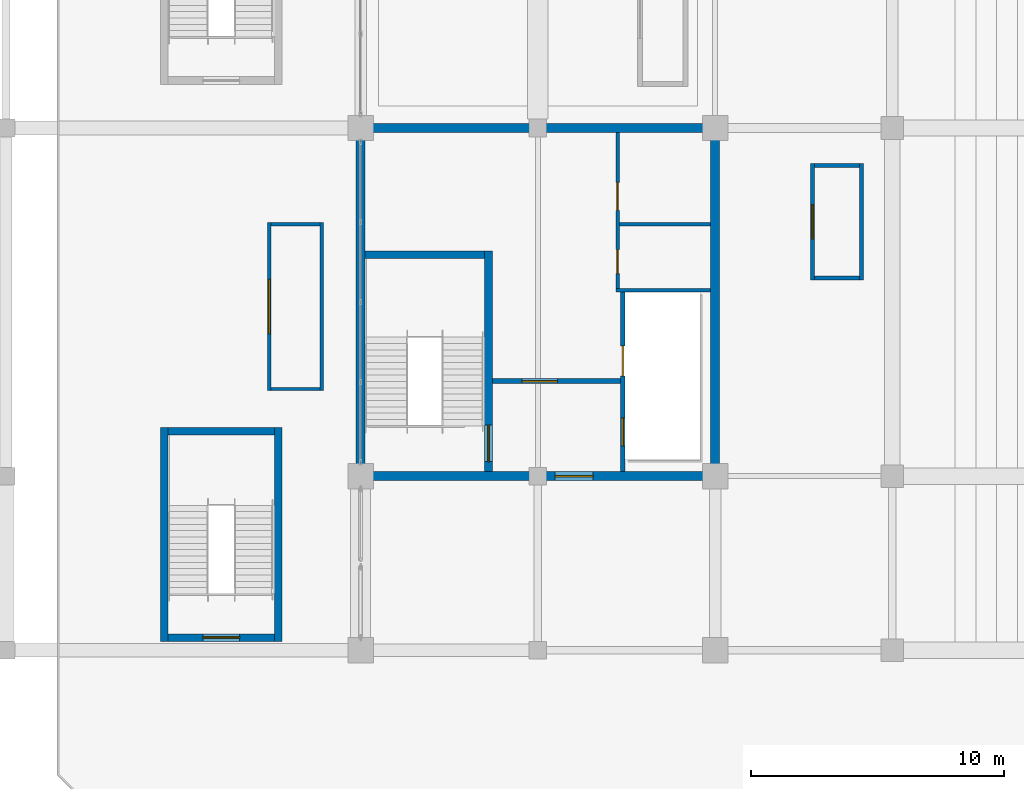
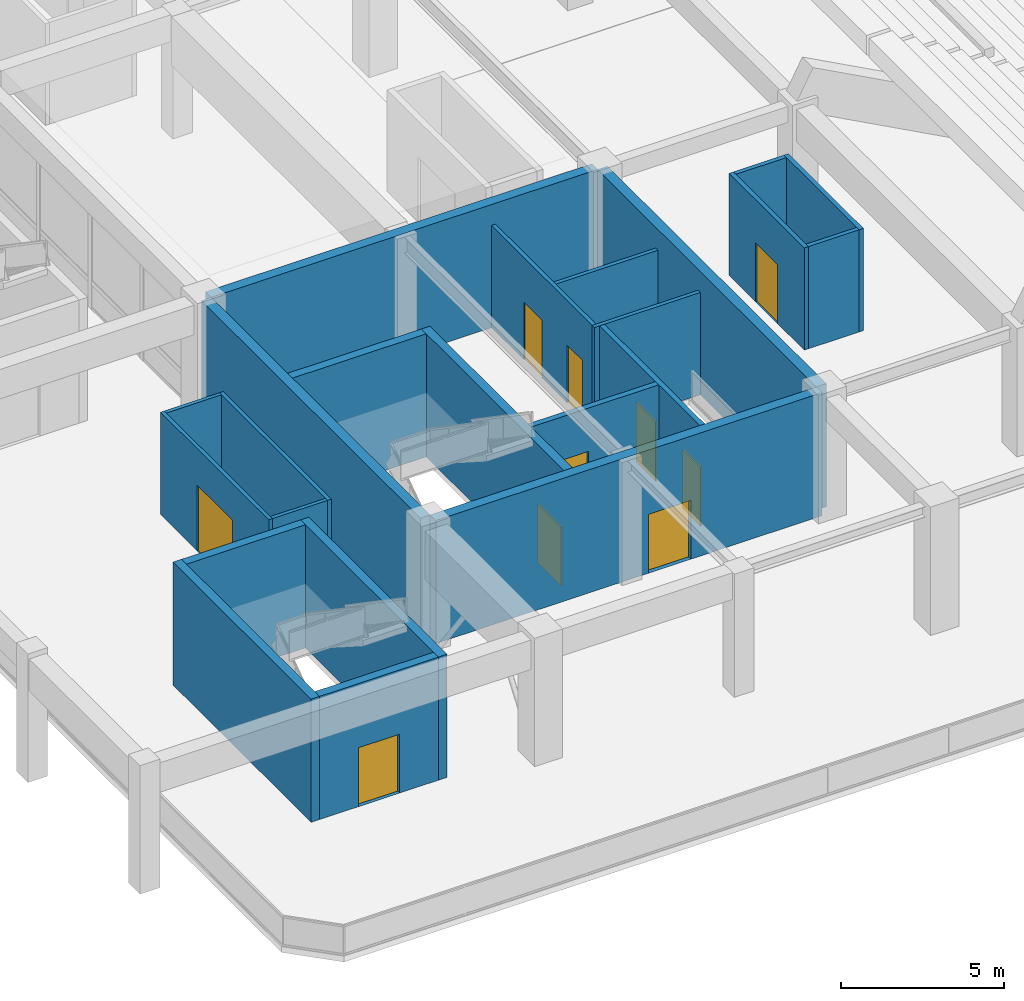
# One storey, part 68 of 94: 23 walls, 10 doors, 10 openings.
"""IFC4 building model written with IfcOpenShell, lengths in metres."""

from ifc_helpers import new_model, si_unit, direction, frame, frame_2d, origin, place, context, subcontext, project, spatial, rectangle, extrude, material, layer, layer_set, type_object, element, fill, save


model = new_model("IFC4")

# Units and contexts
model_context = context("Model", 3, precision=1e-05, world=origin(), true_north=direction((0.0, 1.0)))
body_context = subcontext(model_context, "Body", "Model", "MODEL_VIEW")
ifc_project = project(units=[si_unit("LENGTHUNIT", "METRE"), si_unit("AREAUNIT", "SQUARE_METRE"), si_unit("VOLUMEUNIT", "CUBIC_METRE"), si_unit("PLANEANGLEUNIT", "RADIAN"), si_unit("MASSUNIT", "GRAM", prefix="KILO")], contexts=[model_context])

# Site, building, storey
site_placement = place(None, origin())
site = spatial("IfcSite", under=ifc_project, at=site_placement, CompositionType="ELEMENT")
building_placement = place(site_placement, origin())
building = spatial("IfcBuilding", under=site, at=building_placement, Name="Linyun Crest Stadium", CompositionType="ELEMENT")
storey_placement = place(building_placement, frame((0.0, 0.0, 16.199951171875)))
storey = spatial("IfcBuildingStorey", under=building, at=storey_placement, Name="L04", CompositionType="ELEMENT", Elevation=16.199951171875)

# Walls
ifc_material_1 = material(Name="Concrete C50", Category="concrete")
ifc_layer_1 = layer(ifc_material_1, 0.35009765625)
ifc_layer_set_1 = layer_set([ifc_layer_1], Name="Concrete C50")
wall_type_1 = type_object("IfcWallType", Name="CW01", PredefinedType="SHEAR", material=ifc_layer_set_1)
for number, where, z_axis, x_axis, name in (
    (1, (-84.0, -38.949951171875, 0.0), (0.0, 0.0, 1.0), (0.0, 1.0, 0.0), "Core shear wall CW01 CORE-W1 L04.1"),
    (2, (-70.0, -38.949951171875, 0.0), (0.0, 0.0, 1.0), (0.0, 1.0, 0.0), "Core shear wall CW01 CORE-W1 L04.2"),
):
    element("IfcWall", number, at=place(storey_placement, frame(where, z_axis=z_axis, x_axis=x_axis)), inside=storey, type_object=wall_type_1, Name=name, PredefinedType="SHEAR", context=body_context, shape_type="SweptSolid", body=[
        extrude(rectangle(XDim=13.39990234375, YDim=0.35009765625, at=frame_2d((6.699951171875, 0.0))), origin(), (0.0, 0.0, 1.0), 4.60009765625),
    ])

# Wall, opening, door
wall_1_placement = place(storey_placement, frame((-83.824951171875, -39.125, 0.0), z_axis=(0.0, 0.0, 1.0), x_axis=(1.0, 0.0, 0.0)))
wall_1 = element("IfcWall", 3, at=wall_1_placement, inside=storey, type_object=wall_type_1, Name="Core shear wall CW01 CORE-W1 L04.3", PredefinedType="SHEAR", context=body_context, shape_type="SweptSolid", body=[
    extrude(rectangle(XDim=13.64990234375, YDim=0.35009765625, at=frame_2d((6.824951171875, 0.0))), origin(), (0.0, 0.0, 1.0), 4.60009765625),
])
opening_1_placement = place(wall_1_placement, frame((7.508056640625, 0.0, 0.0)))
opening_1 = element("IfcOpeningElement", 4, at=opening_1_placement, cuts=wall_1, Name="Opening D-L04-029", PredefinedType="OPENING", context=body_context, shape_type="SweptSolid", body=[
    extrude(rectangle(XDim=1.5, YDim=2.199951171875, at=frame_2d((0.75, 1.10009765625))), frame((0.0, 0.18505859375, 0.0), z_axis=(0.0, -1.0, 0.0), x_axis=(1.0, 0.0, 0.0)), (0.0, 0.0, 1.0), 0.3701171875),
])
ifc_material_2 = material(Name="Galvanized steel Class A fire door", Category="steel")
ifc_layer_2 = layer(ifc_material_2, 0.054931640625)
ifc_layer_set_2 = layer_set([ifc_layer_2], Name="Galvanized steel Class A fire door")
door_type_1 = type_object("IfcDoorType", Name="FD01", OperationType="NOTDEFINED", PredefinedType="DOOR", material=ifc_layer_set_2)
door_1_placement = place(opening_1_placement, origin())
door_1 = element("IfcDoor", 5, at=door_1_placement, inside=storey, type_object=door_type_1, Name="Door D-L04-029", OperationType="SINGLE_SWING_LEFT", OverallHeight=2.199951171875, OverallWidth=1.5, PredefinedType="DOOR", context=body_context, shape_type="SweptSolid", body=[
    extrude(rectangle(XDim=1.5, YDim=2.199951171875, at=frame_2d((0.75, 1.10009765625))), frame((0.0, 0.02490234375, 0.0), z_axis=(0.0, -1.0, 0.0), x_axis=(1.0, 0.0, 0.0)), (0.0, 0.0, 1.0), 0.050048828125),
])
fill(opening_1, door_1)

# Wall
wall_2_placement = place(storey_placement, frame((-83.824951171875, -25.375, 0.0), z_axis=(0.0, 0.0, 1.0), x_axis=(1.0, 0.0, 0.0)))
element("IfcWall", 6, at=wall_2_placement, inside=storey, type_object=wall_type_1, Name="Core shear wall CW01 CORE-W1 L04.4", PredefinedType="SHEAR", context=body_context, shape_type="SweptSolid", body=[
    extrude(rectangle(XDim=13.64990234375, YDim=0.35009765625, at=frame_2d((6.824951171875, 0.0))), origin(), (0.0, 0.0, 1.0), 4.60009765625),
])

# Wall, opening, door
ifc_material_3 = material(Name="Autoclaved aerated concrete block with fireboard", Category="concrete")
ifc_layer_3 = layer(ifc_material_3, 0.199951171875)
ifc_layer_set_3 = layer_set([ifc_layer_3], Name="Autoclaved aerated concrete block with fireboard")
wall_type_2 = type_object("IfcWallType", Name="PW11", PredefinedType="PARTITIONING", material=ifc_layer_set_3)
wall_3_placement = place(storey_placement, frame((-78.800048828125, -35.375, 0.0), z_axis=(0.0, 0.0, 1.0), x_axis=(1.0, 0.0, 0.0)))
wall_3 = element("IfcWall", 7, at=wall_3_placement, inside=storey, type_object=wall_type_2, Name="Partition PW11 L04 13", PredefinedType="PARTITIONING", context=body_context, shape_type="SweptSolid", body=[
    extrude(rectangle(XDim=5.06005859375, YDim=0.199951171875, at=frame_2d((2.530029296875, 0.0))), origin(), (0.0, 0.0, 1.0), 3.820068359375),
])
opening_2_placement = place(wall_3_placement, frame((1.169921875, 0.0, 0.0)))
opening_2 = element("IfcOpeningElement", 8, at=opening_2_placement, cuts=wall_3, Name="Opening D-L04-031", PredefinedType="OPENING", context=body_context, shape_type="SweptSolid", body=[
    extrude(rectangle(XDim=1.39990234375, YDim=2.199951171875, at=frame_2d((0.699951171875, 1.10009765625))), frame((0.0, 0.10986328125, 0.0), z_axis=(0.0, -1.0, 0.0), x_axis=(1.0, 0.0, 0.0)), (0.0, 0.0, 1.0), 0.219970703125),
])
ifc_material_4 = material(Name="Galvanized steel Class B fire door", Category="steel")
ifc_layer_4 = layer(ifc_material_4, 0.054931640625)
ifc_layer_set_4 = layer_set([ifc_layer_4], Name="Galvanized steel Class B fire door")
door_type_2 = type_object("IfcDoorType", Name="FD03", OperationType="NOTDEFINED", PredefinedType="DOOR", material=ifc_layer_set_4)
door_2_placement = place(opening_2_placement, origin())
door_2 = element("IfcDoor", 9, at=door_2_placement, inside=storey, type_object=door_type_2, Name="Door D-L04-031", OperationType="SINGLE_SWING_LEFT", OverallHeight=2.199951171875, OverallWidth=1.39990234375, PredefinedType="DOOR", context=body_context, shape_type="SweptSolid", body=[
    extrude(rectangle(XDim=1.39990234375, YDim=2.199951171875, at=frame_2d((0.699951171875, 1.10009765625))), frame((0.0, 0.02490234375, 0.0), z_axis=(0.0, -1.0, 0.0), x_axis=(1.0, 0.0, 0.0)), (0.0, 0.0, 1.0), 0.050048828125),
])
fill(opening_2, door_2)

# Wall, openings, doors
ifc_material_5 = material(Name="Autoclaved aerated concrete block fire partition", Category="concrete")
ifc_layer_5 = layer(ifc_material_5, 0.179931640625)
ifc_layer_set_5 = layer_set([ifc_layer_5], Name="Autoclaved aerated concrete block fire partition")
wall_type_3 = type_object("IfcWallType", Name="PW12", PredefinedType="PARTITIONING", material=ifc_layer_set_5)
wall_4_placement = place(storey_placement, frame((-73.64990234375, -38.949951171875, 0.0), z_axis=(0.0, 0.0, 1.0), x_axis=(0.0, 1.0, 0.0)))
wall_4 = element("IfcWall", 10, at=wall_4_placement, inside=storey, type_object=wall_type_3, Name="Partition PW12 L04 14", PredefinedType="PARTITIONING", context=body_context, shape_type="SweptSolid", body=[
    extrude(rectangle(XDim=7.10498046875, YDim=0.179931640625, at=frame_2d((3.552490234375, 0.0))), origin(), (0.0, 0.0, 1.0), 3.820068359375),
])
opening_3_placement = place(wall_4_placement, frame((1.02490234375, 0.0, 0.0)))
opening_3 = element("IfcOpeningElement", 11, at=opening_3_placement, cuts=wall_4, Name="Opening LD009", PredefinedType="OPENING", context=body_context, shape_type="SweptSolid", body=[
    extrude(rectangle(XDim=1.10009765625, YDim=2.199951171875, at=frame_2d((0.550048828125, 1.10009765625))), frame((0.0, 0.099853515625, 0.0), z_axis=(0.0, -1.0, 0.0), x_axis=(1.0, 0.0, 0.0)), (0.0, 0.0, 1.0), 0.199951171875),
])
opening_4_placement = place(wall_4_placement, frame((3.77490234375, 0.0, 0.0)))
opening_4 = element("IfcOpeningElement", 12, at=opening_4_placement, cuts=wall_4, Name="Opening LD010", PredefinedType="OPENING", context=body_context, shape_type="SweptSolid", body=[
    extrude(rectangle(XDim=1.199951171875, YDim=2.25, at=frame_2d((0.60009765625, 1.125))), frame((0.0, 0.099853515625, 0.0), z_axis=(0.0, -1.0, 0.0), x_axis=(1.0, 0.0, 0.0)), (0.0, 0.0, 1.0), 0.199951171875),
])
ifc_material_6 = material(Name="Brushed stainless sliding lift door")
ifc_layer_6 = layer(ifc_material_6, 0.050048828125)
ifc_layer_set_6 = layer_set([ifc_layer_6], Name="Brushed stainless sliding lift door")
door_type_3 = type_object("IfcDoorType", Name="LD01", OperationType="NOTDEFINED", PredefinedType="DOOR", material=ifc_layer_set_6)
door_3_placement = place(opening_3_placement, origin())
door_3 = element("IfcDoor", 13, at=door_3_placement, inside=storey, type_object=door_type_3, Name="Lift landing door LD009", OperationType="DOUBLE_DOOR_SLIDING", OverallHeight=2.199951171875, OverallWidth=1.10009765625, PredefinedType="DOOR", context=body_context, shape_type="SweptSolid", body=[
    extrude(rectangle(XDim=1.10009765625, YDim=2.199951171875, at=frame_2d((0.550048828125, 1.10009765625))), frame((0.0, 0.02490234375, 0.0), z_axis=(0.0, -1.0, 0.0), x_axis=(1.0, 0.0, 0.0)), (0.0, 0.0, 1.0), 0.050048828125),
])
fill(opening_3, door_3)
ifc_material_7 = material(Name="Brushed stainless sliding lift door")
ifc_layer_7 = layer(ifc_material_7, 0.050048828125)
ifc_layer_set_7 = layer_set([ifc_layer_7], Name="Brushed stainless sliding lift door")
door_type_4 = type_object("IfcDoorType", Name="LD02", OperationType="NOTDEFINED", PredefinedType="DOOR", material=ifc_layer_set_7)
door_4_placement = place(opening_4_placement, origin())
door_4 = element("IfcDoor", 14, at=door_4_placement, inside=storey, type_object=door_type_4, Name="Lift landing door LD010", OperationType="DOUBLE_DOOR_SLIDING", OverallHeight=2.25, OverallWidth=1.199951171875, PredefinedType="DOOR", context=body_context, shape_type="SweptSolid", body=[
    extrude(rectangle(XDim=1.199951171875, YDim=2.25, at=frame_2d((0.60009765625, 1.125))), frame((0.0, 0.02490234375, 0.0), z_axis=(0.0, -1.0, 0.0), x_axis=(1.0, 0.0, 0.0)), (0.0, 0.0, 1.0), 0.050048828125),
])
fill(opening_4, door_4)

# Wall, opening, door
ifc_material_8 = material(Name="Steel-stud gypsum corridor fire partition", Category="steel")
ifc_layer_8 = layer(ifc_material_8, 0.14990234375)
ifc_layer_set_8 = layer_set([ifc_layer_8], Name="Steel-stud gypsum corridor fire partition")
wall_type_4 = type_object("IfcWallType", Name="PW14", PredefinedType="PARTITIONING", material=ifc_layer_set_8)
wall_5_placement = place(storey_placement, frame((-66.156982421875, -31.376953125, 0.0), z_axis=(0.0, 0.0, 1.0), x_axis=(0.0, 1.0, 0.0)))
wall_5 = element("IfcWall", 15, at=wall_5_placement, inside=storey, type_object=wall_type_4, Name="Partition PW14 L04 217", PredefinedType="PARTITIONING", context=body_context, shape_type="SweptSolid", body=[
    extrude(rectangle(XDim=4.599853515625, YDim=0.14990234375, at=frame_2d((2.2998046875, 0.0))), origin(), (0.0, 0.0, 1.0), 3.820068359375),
])
opening_5_placement = place(wall_5_placement, frame((1.625, 0.0, 0.0)))
opening_5 = element("IfcOpeningElement", 16, at=opening_5_placement, cuts=wall_5, Name="Opening D-L04-480", PredefinedType="OPENING", context=body_context, shape_type="SweptSolid", body=[
    extrude(rectangle(XDim=1.35009765625, YDim=2.199951171875, at=frame_2d((0.675048828125, 1.10009765625))), frame((0.0, 0.0849609375, 0.0), z_axis=(0.0, -1.0, 0.0), x_axis=(1.0, 0.0, 0.0)), (0.0, 0.0, 1.0), 0.169921875),
])
ifc_material_9 = material(Name="Wide hospital-grade hygienic door")
ifc_layer_9 = layer(ifc_material_9, 0.050048828125)
ifc_layer_set_9 = layer_set([ifc_layer_9], Name="Wide hospital-grade hygienic door")
door_type_5 = type_object("IfcDoorType", Name="ID12", OperationType="NOTDEFINED", PredefinedType="DOOR", material=ifc_layer_set_9)
door_5_placement = place(opening_5_placement, origin())
door_5 = element("IfcDoor", 17, at=door_5_placement, inside=storey, type_object=door_type_5, Name="Door D-L04-480", OperationType="SINGLE_SWING_RIGHT", OverallHeight=2.199951171875, OverallWidth=1.35009765625, PredefinedType="DOOR", context=body_context, shape_type="SweptSolid", body=[
    extrude(rectangle(XDim=1.35009765625, YDim=2.199951171875, at=frame_2d((0.675048828125, 1.10009765625))), frame((0.0, 0.02490234375, 0.0), z_axis=(0.0, -1.0, 0.0), x_axis=(1.0, 0.0, 0.0)), (0.0, 0.0, 1.0), 0.050048828125),
])
fill(opening_5, door_5)

# Walls
wall_6_placement = place(storey_placement, frame((-64.217041015625, -31.376953125, 0.0), z_axis=(0.0, 0.0, 1.0), x_axis=(0.0, 1.0, 0.0)))
element("IfcWall", 18, at=wall_6_placement, inside=storey, type_object=wall_type_4, Name="Enclosure partition PW14 L04 367", PredefinedType="PARTITIONING", context=body_context, shape_type="SweptSolid", body=[
    extrude(rectangle(XDim=4.599853515625, YDim=0.14990234375, at=frame_2d((2.2998046875, 0.0))), origin(), (0.0, 0.0, 1.0), 3.820068359375),
])
for number, where, z_axis, x_axis, name in (
    (19, (-66.08203125, -31.302001953125, 0.0), (0.0, 0.0, 1.0), (1.0, 0.0, 0.0), "Enclosure partition PW14 L04 368"),
    (20, (-66.08203125, -26.85205078125, 0.0), (0.0, 0.0, 1.0), (1.0, 0.0, 0.0), "Enclosure partition PW14 L04 369"),
):
    element("IfcWall", number, at=place(storey_placement, frame(where, z_axis=z_axis, x_axis=x_axis)), inside=storey, type_object=wall_type_4, Name=name, PredefinedType="PARTITIONING", context=body_context, shape_type="SweptSolid", body=[
        extrude(rectangle(XDim=1.7900390625, YDim=0.14990234375, at=frame_2d((0.89501953125, 0.0))), origin(), (0.0, 0.0, 1.0), 3.820068359375),
    ])

# Wall, openings, doors
ifc_material_10 = material(Name="Moisture-resistant ceramic-tiled wet-room wall")
ifc_layer_10 = layer(ifc_material_10, 0.139892578125)
ifc_layer_set_10 = layer_set([ifc_layer_10], Name="Moisture-resistant ceramic-tiled wet-room wall")
wall_type_5 = type_object("IfcWallType", Name="PW15", PredefinedType="PARTITIONING", material=ifc_layer_set_10)
wall_7_placement = place(storey_placement, frame((-73.85009765625, -31.705078125, 0.0), z_axis=(0.0, 0.0, 1.0), x_axis=(0.0, 1.0, 0.0)))
wall_7 = element("IfcWall", 21, at=wall_7_placement, inside=storey, type_object=wall_type_5, Name="Partition PW15 L04 15", PredefinedType="PARTITIONING", context=body_context, shape_type="SweptSolid", body=[
    extrude(rectangle(XDim=6.155029296875, YDim=0.139892578125, at=frame_2d((3.07763671875, 0.0))), origin(), (0.0, 0.0, 1.0), 3.820068359375),
])
opening_6_placement = place(wall_7_placement, frame((0.580078125, 0.0, 0.0)))
opening_6 = element("IfcOpeningElement", 22, at=opening_6_placement, cuts=wall_7, Name="Opening D-L04-034", PredefinedType="OPENING", context=body_context, shape_type="SweptSolid", body=[
    extrude(rectangle(XDim=0.949951171875, YDim=2.14990234375, at=frame_2d((0.47509765625, 1.074951171875))), frame((0.0, 0.079833984375, 0.0), z_axis=(0.0, -1.0, 0.0), x_axis=(1.0, 0.0, 0.0)), (0.0, 0.0, 1.0), 0.159912109375),
])
opening_7_placement = place(wall_7_placement, frame((3.080078125, 0.0, 0.0)))
opening_7 = element("IfcOpeningElement", 23, at=opening_7_placement, cuts=wall_7, Name="Opening D-L04-035", PredefinedType="OPENING", context=body_context, shape_type="SweptSolid", body=[
    extrude(rectangle(XDim=1.10009765625, YDim=2.14990234375, at=frame_2d((0.550048828125, 1.074951171875))), frame((0.0, 0.079833984375, 0.0), z_axis=(0.0, -1.0, 0.0), x_axis=(1.0, 0.0, 0.0)), (0.0, 0.0, 1.0), 0.159912109375),
])
ifc_material_11 = material(Name="Moisture-resistant laminate leaf")
ifc_layer_11 = layer(ifc_material_11, 0.044921875)
ifc_layer_set_11 = layer_set([ifc_layer_11], Name="Moisture-resistant laminate leaf")
door_type_6 = type_object("IfcDoorType", Name="ID02", OperationType="NOTDEFINED", PredefinedType="DOOR", material=ifc_layer_set_11)
door_6_placement = place(opening_6_placement, origin())
door_6 = element("IfcDoor", 24, at=door_6_placement, inside=storey, type_object=door_type_6, Name="Door D-L04-034", OperationType="SINGLE_SWING_RIGHT", OverallHeight=2.14990234375, OverallWidth=0.949951171875, PredefinedType="DOOR", context=body_context, shape_type="SweptSolid", body=[
    extrude(rectangle(XDim=0.949951171875, YDim=2.14990234375, at=frame_2d((0.47509765625, 1.074951171875))), frame((0.0, 0.02490234375, 0.0), z_axis=(0.0, -1.0, 0.0), x_axis=(1.0, 0.0, 0.0)), (0.0, 0.0, 1.0), 0.050048828125),
])
fill(opening_6, door_6)
ifc_material_12 = material(Name="Moisture-resistant laminate leaf")
ifc_layer_12 = layer(ifc_material_12, 0.044921875)
ifc_layer_set_12 = layer_set([ifc_layer_12], Name="Moisture-resistant laminate leaf")
door_type_7 = type_object("IfcDoorType", Name="ID03", OperationType="NOTDEFINED", PredefinedType="DOOR", material=ifc_layer_set_12)
door_7_placement = place(opening_7_placement, origin())
door_7 = element("IfcDoor", 25, at=door_7_placement, inside=storey, type_object=door_type_7, Name="Door D-L04-035", OperationType="SINGLE_SWING_LEFT", OverallHeight=2.14990234375, OverallWidth=1.10009765625, PredefinedType="DOOR", context=body_context, shape_type="SweptSolid", body=[
    extrude(rectangle(XDim=1.10009765625, YDim=2.14990234375, at=frame_2d((0.550048828125, 1.074951171875))), frame((0.0, 0.02490234375, 0.0), z_axis=(0.0, -1.0, 0.0), x_axis=(1.0, 0.0, 0.0)), (0.0, 0.0, 1.0), 0.050048828125),
])
fill(opening_7, door_7)

# Walls
wall_8_placement = place(storey_placement, frame((-73.919921875, -31.77490234375, 0.0), z_axis=(0.0, 0.0, 1.0), x_axis=(1.0, 0.0, 0.0)))
element("IfcWall", 26, at=wall_8_placement, inside=storey, type_object=wall_type_5, Name="Enclosure partition PW15 L04 9", PredefinedType="PARTITIONING", context=body_context, shape_type="SweptSolid", body=[
    extrude(rectangle(XDim=3.744873046875, YDim=0.139892578125, at=frame_2d((1.87255859375, 0.0))), origin(), (0.0, 0.0, 1.0), 3.820068359375),
])
wall_9_placement = place(storey_placement, frame((-73.780029296875, -29.175048828125, 0.0), z_axis=(0.0, 0.0, 1.0), x_axis=(1.0, 0.0, 0.0)))
element("IfcWall", 27, at=wall_9_placement, inside=storey, type_object=wall_type_5, Name="Enclosure partition PW15 L04 10", PredefinedType="PARTITIONING", context=body_context, shape_type="SweptSolid", body=[
    extrude(rectangle(XDim=3.60498046875, YDim=0.139892578125, at=frame_2d((1.802490234375, 0.0))), origin(), (0.0, 0.0, 1.0), 3.820068359375),
])

# Wall, opening, door
ifc_material_13 = material(Name="Acoustic commentary booth partition")
ifc_layer_13 = layer(ifc_material_13, 0.1298828125)
ifc_layer_set_13 = layer_set([ifc_layer_13], Name="Acoustic commentary booth partition")
wall_type_6 = type_object("IfcWallType", Name="PW22", PredefinedType="PARTITIONING", material=ifc_layer_set_13)
wall_10_placement = place(storey_placement, frame((-87.612060546875, -35.74609375, 0.0), z_axis=(0.0, 0.0, 1.0), x_axis=(0.0, 1.0, 0.0)))
wall_10 = element("IfcWall", 28, at=wall_10_placement, inside=storey, type_object=wall_type_6, Name="Partition PW22 L04 258", PredefinedType="PARTITIONING", context=body_context, shape_type="SweptSolid", body=[
    extrude(rectangle(XDim=6.630126953125, YDim=0.1298828125, at=frame_2d((3.31494140625, 0.0))), origin(), (0.0, 0.0, 1.0), 3.820068359375),
])
opening_8_placement = place(wall_10_placement, frame((2.239990234375, 0.0, 0.0)))
opening_8 = element("IfcOpeningElement", 29, at=opening_8_placement, cuts=wall_10, Name="Opening D-L04-521", PredefinedType="OPENING", context=body_context, shape_type="SweptSolid", body=[
    extrude(rectangle(XDim=2.14990234375, YDim=2.449951171875, at=frame_2d((1.074951171875, 1.22509765625))), frame((0.0, 0.074951171875, 0.0), z_axis=(0.0, -1.0, 0.0), x_axis=(1.0, 0.0, 0.0)), (0.0, 0.0, 1.0), 0.14990234375),
])
ifc_material_14 = material(Name="Anodized aluminium retail door", Category="aluminium")
ifc_layer_14 = layer(ifc_material_14, 0.054931640625)
ifc_layer_set_14 = layer_set([ifc_layer_14], Name="Anodized aluminium retail door")
door_type_8 = type_object("IfcDoorType", Name="ID18", OperationType="NOTDEFINED", PredefinedType="DOOR", material=ifc_layer_set_14)
door_8_placement = place(opening_8_placement, origin())
door_8 = element("IfcDoor", 30, at=door_8_placement, inside=storey, type_object=door_type_8, Name="Door D-L04-521", OperationType="DOUBLE_DOOR_SINGLE_SWING", OverallHeight=2.449951171875, OverallWidth=2.14990234375, PredefinedType="DOOR", context=body_context, shape_type="SweptSolid", body=[
    extrude(rectangle(XDim=2.14990234375, YDim=2.449951171875, at=frame_2d((1.074951171875, 1.22509765625))), frame((0.0, 0.02490234375, 0.0), z_axis=(0.0, -1.0, 0.0), x_axis=(1.0, 0.0, 0.0)), (0.0, 0.0, 1.0), 0.050048828125),
])
fill(opening_8, door_8)

# Walls
wall_11_placement = place(storey_placement, frame((-85.531982421875, -35.74609375, 0.0), z_axis=(0.0, 0.0, 1.0), x_axis=(0.0, 1.0, 0.0)))
element("IfcWall", 31, at=wall_11_placement, inside=storey, type_object=wall_type_6, Name="Enclosure partition PW22 L04 490", PredefinedType="PARTITIONING", context=body_context, shape_type="SweptSolid", body=[
    extrude(rectangle(XDim=6.630126953125, YDim=0.1298828125, at=frame_2d((3.31494140625, 0.0))), origin(), (0.0, 0.0, 1.0), 3.820068359375),
])
for number, where, z_axis, x_axis, name in (
    (32, (-87.547119140625, -35.680908203125, 0.0), (0.0, 0.0, 1.0), (1.0, 0.0, 0.0), "Enclosure partition PW22 L04 491"),
    (33, (-87.547119140625, -29.180908203125, 0.0), (0.0, 0.0, 1.0), (1.0, 0.0, 0.0), "Enclosure partition PW22 L04 492"),
):
    element("IfcWall", number, at=place(storey_placement, frame(where, z_axis=z_axis, x_axis=x_axis)), inside=storey, type_object=wall_type_6, Name=name, PredefinedType="PARTITIONING", context=body_context, shape_type="SweptSolid", body=[
        extrude(rectangle(XDim=1.9501953125, YDim=0.1298828125, at=frame_2d((0.97509765625, 0.0))), origin(), (0.0, 0.0, 1.0), 3.820068359375),
    ])

# Wall, opening, door
ifc_material_15 = material(Name="Concrete C50", Category="concrete")
ifc_layer_15 = layer(ifc_material_15, 0.300048828125)
ifc_layer_set_15 = layer_set([ifc_layer_15], Name="Concrete C50")
wall_type_7 = type_object("IfcWallType", Name="SW01", PredefinedType="SHEAR", material=ifc_layer_set_15)
wall_12_placement = place(storey_placement, frame((-78.949951171875, -38.949951171875, 0.0), z_axis=(0.0, 0.0, 1.0), x_axis=(0.0, 1.0, 0.0)))
wall_12 = element("IfcWall", 34, at=wall_12_placement, inside=storey, type_object=wall_type_7, Name="Core stair east bearing wall SW01 1 L04", PredefinedType="SHEAR", context=body_context, shape_type="SweptSolid", body=[
    extrude(rectangle(XDim=8.724853515625, YDim=0.300048828125, at=frame_2d((4.3623046875, 0.0))), origin(), (0.0, 0.0, 1.0), 4.60009765625),
])
opening_9_placement = place(wall_12_placement, frame((0.39501953125, 0.0, 0.0)))
opening_9 = element("IfcOpeningElement", 35, at=opening_9_placement, cuts=wall_12, Name="Opening D-L04-030", PredefinedType="OPENING", context=body_context, shape_type="SweptSolid", body=[
    extrude(rectangle(XDim=1.449951171875, YDim=2.199951171875, at=frame_2d((0.72509765625, 1.10009765625))), frame((0.0, 0.159912109375, 0.0), z_axis=(0.0, -1.0, 0.0), x_axis=(1.0, 0.0, 0.0)), (0.0, 0.0, 1.0), 0.320068359375),
])
ifc_material_16 = material(Name="Galvanized steel Class A fire door", Category="steel")
ifc_layer_16 = layer(ifc_material_16, 0.054931640625)
ifc_layer_set_16 = layer_set([ifc_layer_16], Name="Galvanized steel Class A fire door")
door_type_9 = type_object("IfcDoorType", Name="FD02", OperationType="NOTDEFINED", PredefinedType="DOOR", material=ifc_layer_set_16)
door_9_placement = place(opening_9_placement, origin())
door_9 = element("IfcDoor", 36, at=door_9_placement, inside=storey, type_object=door_type_9, Name="Door D-L04-030", OperationType="SINGLE_SWING_RIGHT", OverallHeight=2.199951171875, OverallWidth=1.449951171875, PredefinedType="DOOR", context=body_context, shape_type="SweptSolid", body=[
    extrude(rectangle(XDim=1.449951171875, YDim=2.199951171875, at=frame_2d((0.72509765625, 1.10009765625))), frame((0.0, 0.02490234375, 0.0), z_axis=(0.0, -1.0, 0.0), x_axis=(1.0, 0.0, 0.0)), (0.0, 0.0, 1.0), 0.050048828125),
])
fill(opening_9, door_9)

# Wall
wall_13_placement = place(storey_placement, frame((-83.824951171875, -30.375, 0.0), z_axis=(0.0, 0.0, 1.0), x_axis=(1.0, 0.0, 0.0)))
element("IfcWall", 37, at=wall_13_placement, inside=storey, type_object=wall_type_7, Name="Core stair bearing wall SW01 1 L04", PredefinedType="SHEAR", context=body_context, shape_type="SweptSolid", body=[
    extrude(rectangle(XDim=4.724853515625, YDim=0.300048828125, at=frame_2d((2.3623046875, 0.0))), origin(), (0.0, 0.0, 1.0), 4.60009765625),
])

# Wall, opening, door
wall_14_placement = place(storey_placement, frame((-91.60009765625, -45.5, 0.0), z_axis=(0.0, 0.0, 1.0), x_axis=(1.0, 0.0, 0.0)))
wall_14 = element("IfcWall", 38, at=wall_14_placement, inside=storey, type_object=wall_type_7, Name="Stair shaft wall SW01 STR-13 L04 S", PredefinedType="SHEAR", context=body_context, shape_type="SweptSolid", body=[
    extrude(rectangle(XDim=4.2001953125, YDim=0.300048828125, at=frame_2d((2.10009765625, 0.0))), origin(), (0.0, 0.0, 1.0), 4.60009765625),
])
opening_10_placement = place(wall_14_placement, frame((1.375, 0.0, 0.0)))
opening_10 = element("IfcOpeningElement", 39, at=opening_10_placement, cuts=wall_14, Name="Opening D-L04-544", PredefinedType="OPENING", context=body_context, shape_type="SweptSolid", body=[
    extrude(rectangle(XDim=1.449951171875, YDim=2.199951171875, at=frame_2d((0.72509765625, 1.10009765625))), frame((0.0, 0.159912109375, 0.0), z_axis=(0.0, -1.0, 0.0), x_axis=(1.0, 0.0, 0.0)), (0.0, 0.0, 1.0), 0.320068359375),
])
door_10_placement = place(opening_10_placement, origin())
door_10 = element("IfcDoor", 40, at=door_10_placement, inside=storey, type_object=door_type_9, Name="Door D-L04-544", OperationType="SINGLE_SWING_RIGHT", OverallHeight=2.199951171875, OverallWidth=1.449951171875, PredefinedType="DOOR", context=body_context, shape_type="SweptSolid", body=[
    extrude(rectangle(XDim=1.449951171875, YDim=2.199951171875, at=frame_2d((0.72509765625, 1.10009765625))), frame((0.0, 0.02490234375, 0.0), z_axis=(0.0, -1.0, 0.0), x_axis=(1.0, 0.0, 0.0)), (0.0, 0.0, 1.0), 0.050048828125),
])
fill(opening_10, door_10)

# Walls
wall_15_placement = place(storey_placement, frame((-91.60009765625, -37.35009765625, 0.0), z_axis=(0.0, 0.0, 1.0), x_axis=(1.0, 0.0, 0.0)))
element("IfcWall", 41, at=wall_15_placement, inside=storey, type_object=wall_type_7, Name="Stair shaft wall SW01 STR-13 L04 N", PredefinedType="SHEAR", context=body_context, shape_type="SweptSolid", body=[
    extrude(rectangle(XDim=4.2001953125, YDim=0.300048828125, at=frame_2d((2.10009765625, 0.0))), origin(), (0.0, 0.0, 1.0), 4.60009765625),
])
for number, where, z_axis, x_axis, name in (
    (42, (-91.75, -45.64990234375, 0.0), (0.0, 0.0, 1.0), (0.0, 1.0, 0.0), "Stair shaft wall SW01 STR-13 L04 W"),
    (43, (-87.25, -45.64990234375, 0.0), (0.0, 0.0, 1.0), (0.0, 1.0, 0.0), "Stair shaft wall SW01 STR-13 L04 E"),
):
    element("IfcWall", number, at=place(storey_placement, frame(where, z_axis=z_axis, x_axis=x_axis)), inside=storey, type_object=wall_type_7, Name=name, PredefinedType="SHEAR", context=body_context, shape_type="SweptSolid", body=[
        extrude(rectangle(XDim=8.449951171875, YDim=0.300048828125, at=frame_2d((4.22509765625, 0.0))), origin(), (0.0, 0.0, 1.0), 4.60009765625),
    ])

save(model, "model.ifc")
